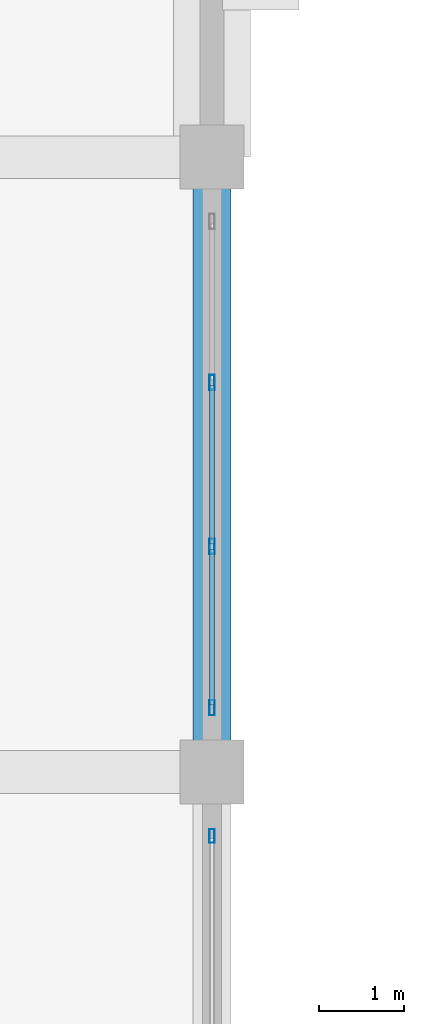
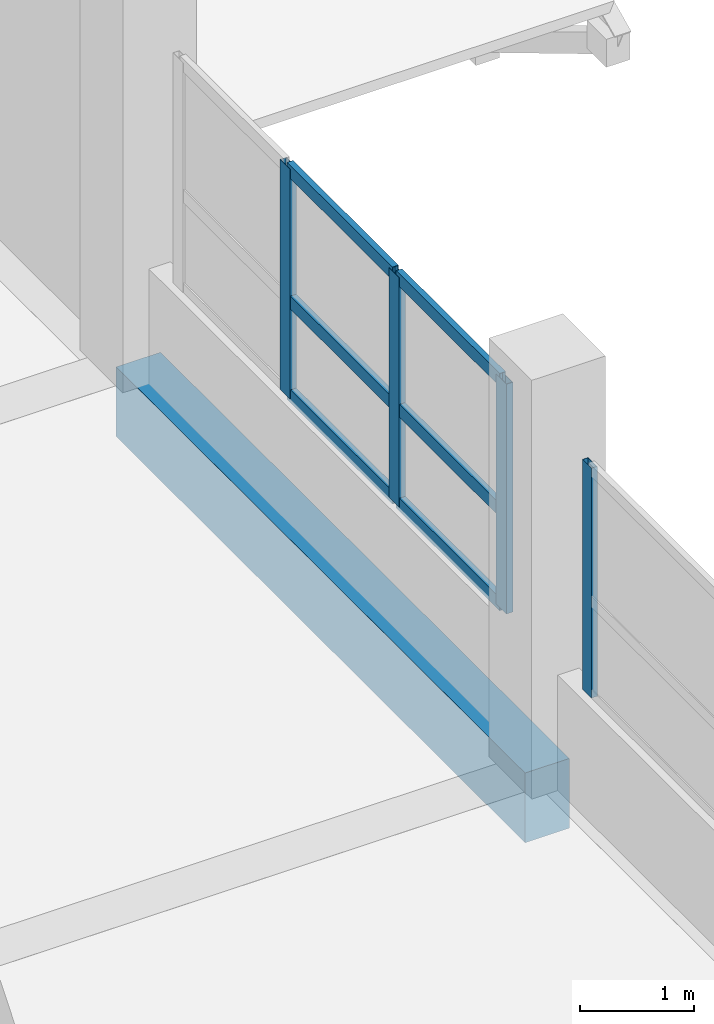
# One storey, part 99 of 141: 10 members, 1 beam, 2 elements without a shape of their own.
"""IFC4 building model written with IfcOpenShell, lengths in metres."""

import ifcopenshell
import ifcopenshell.guid

model = None  # the IFC model being written
_history = None  # IfcOwnerHistory: only IFC2X3 demands one
_inside = {}  # id of a spatial element -> (the spatial element, [elements in it])
_under = {}  # id of a project, library or spatial element -> (it, [spatial elements below it])
_declared = {}  # id of a project -> (the project, [libraries it declares])
_typed = {}  # id of a type object -> (the type object, [elements of that type])
_made_of = {}  # id of a material, layer set ... -> (it, [elements and type objects made of it])


def new_model(schema):
    """Start an empty IFC model of exactly this schema.

    Asked for "IFC4X3", IfcOpenShell would pick the latest addendum, in which some entities
    have other attributes; the version numbers below select the first issue.
    IFC2X3 requires an IfcOwnerHistory on every rooted entity: one is made here for all.
    """
    global model, _history
    if schema == "IFC4X3":
        model = ifcopenshell.file(schema_version=(4, 3, 0, 0))
    else:
        model = ifcopenshell.file(schema=schema)
    _inside.clear()
    _under.clear()
    _declared.clear()
    _typed.clear()
    _made_of.clear()
    _history = None
    if model.schema == "IFC2X3":
        org = make("IfcOrganization", Name="unknown")
        user = make(
            "IfcPersonAndOrganization",
            ThePerson=make("IfcPerson", FamilyName="unknown"),
            TheOrganization=org,
        )
        app = make(
            "IfcApplication",
            ApplicationDeveloper=org,
            Version="unknown",
            ApplicationFullName="unknown",
            ApplicationIdentifier="unknown",
        )
        _history = make(
            "IfcOwnerHistory",
            OwningUser=user,
            OwningApplication=app,
            ChangeAction="ADDED",
            CreationDate=0,
        )
    return model


def make(cls, **values):
    """One entity of the class cls with the attributes given. An attribute that is None is left unset."""
    return model.create_entity(
        cls, **{name: value for name, value in values.items() if value is not None}
    )


def rooted(cls, **values):
    """An entity with a GlobalId (a new one), such as an element, a storey or a relation."""
    return make(cls, GlobalId=ifcopenshell.guid.new(), OwnerHistory=_history, **values)


def si_unit(unit_type, name, prefix=None):
    """IfcSIUnit, for example si_unit("LENGTHUNIT", "METRE", prefix="MILLI")."""
    return make("IfcSIUnit", UnitType=unit_type, Prefix=prefix, Name=name)


def assignment(units):
    """IfcUnitAssignment: the units of a project."""
    return None if units is None else make("IfcUnitAssignment", Units=units)


def point(xyz):
    """IfcCartesianPoint."""
    return None if xyz is None else make("IfcCartesianPoint", Coordinates=xyz)


def direction(xyz):
    """IfcDirection."""
    return None if xyz is None else make("IfcDirection", DirectionRatios=xyz)


def frame(location, z_axis=None, x_axis=None):
    """IfcAxis2Placement3D, a coordinate frame: its origin and axes. An axis left out is left unset."""
    return make(
        "IfcAxis2Placement3D",
        Location=point(location),
        Axis=direction(z_axis),
        RefDirection=direction(x_axis),
    )


def frame_2d(location, x_axis=None):
    """IfcAxis2Placement2D, a coordinate frame in the plane: its origin and x axis."""
    return make(
        "IfcAxis2Placement2D", Location=point(location), RefDirection=direction(x_axis)
    )


def origin():
    """The frame at (0, 0, 0) with its axes left unset."""
    return frame((0.0, 0.0, 0.0))


def origin_2d():
    """The frame at (0, 0) in the plane with its x axis left unset."""
    return frame_2d((0.0, 0.0))


def place(relative_to, where):
    """IfcLocalPlacement: puts the frame where relative to a parent placement (None: the world)."""
    return make(
        "IfcLocalPlacement", PlacementRelTo=relative_to, RelativePlacement=where
    )


def context(
    kind, dimensions, precision=None, world=None, true_north=None, identifier=None
):
    """IfcGeometricRepresentationContext, for example the 3D "Model" context."""
    return make(
        "IfcGeometricRepresentationContext",
        ContextIdentifier=identifier,
        ContextType=kind,
        CoordinateSpaceDimension=dimensions,
        Precision=precision,
        WorldCoordinateSystem=world,
        TrueNorth=true_north,
    )


def subcontext(parent, identifier, kind, view, scale=None):
    """IfcGeometricRepresentationSubContext, for example "Body" below "Model"."""
    return make(
        "IfcGeometricRepresentationSubContext",
        ContextIdentifier=identifier,
        ContextType=kind,
        ParentContext=parent,
        TargetScale=scale,
        TargetView=view,
    )


def project(units=None, contexts=None):
    """IfcProject with its units and contexts."""
    return rooted(
        "IfcProject",
        Name="project",
        RepresentationContexts=contexts,
        UnitsInContext=assignment(units),
    )


def spatial(cls, under=None, at=None, **own):
    """A site, building, storey or space (cls), placed at a placement, below another one or the project."""
    s = rooted(cls, ObjectPlacement=at, **own)
    if under is not None:
        _under.setdefault(under.id(), (under, []))[1].append(s)
    return s


def profile(cls, at=None, kind="AREA", **sizes):
    """A parametric profile (cls). Its sizes go by their IFC names, for example OverallWidth=200.0."""
    return make(cls, ProfileType=kind, Position=at, **sizes)


def rectangle(**sizes):
    """IfcRectangleProfileDef."""
    return profile("IfcRectangleProfileDef", **sizes)


def hollow_rectangle(**sizes):
    """IfcRectangleHollowProfileDef."""
    return profile("IfcRectangleHollowProfileDef", **sizes)


def extrude(swept, where, along, depth):
    """IfcExtrudedAreaSolid: the profile swept, set in the frame where, extruded along a direction by depth."""
    return make(
        "IfcExtrudedAreaSolid",
        SweptArea=swept,
        Position=where,
        ExtrudedDirection=direction(along),
        Depth=depth,
    )


def shape(context_of_items, identifier, shape_type, items):
    """IfcShapeRepresentation: the items that make up one representation, for example the "Body"."""
    return make(
        "IfcShapeRepresentation",
        ContextOfItems=context_of_items,
        RepresentationIdentifier=identifier,
        RepresentationType=shape_type,
        Items=items,
    )


def material(Name=None, Category=None):
    """IfcMaterial."""
    return make("IfcMaterial", Name=Name, Category=Category)


def layer(
    of_material, thickness, ventilated=None, Name=None, Category=None, Priority=None
):
    """IfcMaterialLayer: one layer of a wall or slab, of a material (None: an air gap)."""
    return make(
        "IfcMaterialLayer",
        Material=of_material,
        LayerThickness=thickness,
        IsVentilated=ventilated,
        Name=Name,
        Category=Category,
        Priority=Priority,
    )


def layer_set(layers, Name=None):
    """IfcMaterialLayerSet."""
    return make("IfcMaterialLayerSet", MaterialLayers=layers, LayerSetName=Name)


def material_profile(
    of_material, cross_section, Name=None, Category=None, Priority=None
):
    """IfcMaterialProfile: a cross section and its material."""
    return make(
        "IfcMaterialProfile",
        Name=Name,
        Material=of_material,
        Profile=cross_section,
        Priority=Priority,
        Category=Category,
    )


def profile_set(profiles, Name=None, composite=None):
    """IfcMaterialProfileSet."""
    return make(
        "IfcMaterialProfileSet",
        Name=Name,
        MaterialProfiles=profiles,
        CompositeProfile=composite,
    )


def made_of(thing, what):
    """Note that an element or type object is made of a material, layer set ...; save() writes the relation."""
    if what is not None:
        _made_of.setdefault(what.id(), (what, []))[1].append(thing)
    return thing


def type_object(cls, material=None, **own):
    """A type object (cls), such as IfcWallType, which elements share."""
    return made_of(rooted(cls, **own), material)


def element(
    cls,
    number,
    at=None,
    inside=None,
    cuts=None,
    type_object=None,
    material=None,
    context=None,
    identifier="Body",
    shape_type=None,
    held_by="IfcProductDefinitionShape",
    body=None,
    shapes=None,
    **own,
):
    """One element of the class cls, such as IfcWall. Its Tag is "e" and its number.

    at: its placement. inside: the storey or other place that contains it. cuts: it is an
    opening in that element (IfcRelVoidsElement). A single representation is given by context,
    identifier, shape_type and body (its items); several are given by shapes. held_by: the class
    of the entity that holds the representations. save() writes the other relations.
    """
    e = rooted(cls, Tag="e%d" % number, ObjectPlacement=at, **own)
    if body is not None:
        shapes = [shape(context, identifier, shape_type, body)]
    if shapes is not None:
        e.Representation = make(held_by, Representations=shapes)
    if inside is not None:
        _inside.setdefault(inside.id(), (inside, []))[1].append(e)
    if cuts is not None:
        rooted(
            "IfcRelVoidsElement", RelatingBuildingElement=cuts, RelatedOpeningElement=e
        )
    if type_object is not None:
        _typed.setdefault(type_object.id(), (type_object, []))[1].append(e)
    return made_of(e, material)


def aggregate(whole, parts):
    """IfcRelAggregates: a whole, such as a stair, and the parts it consists of."""
    return rooted("IfcRelAggregates", RelatingObject=whole, RelatedObjects=parts)


def save(model, path):
    """Write the relations noted so far, then the file.

    IfcRelAggregates (storeys below a building ...), IfcRelContainedInSpatialStructure (elements
    in a storey), IfcRelDefinesByType, IfcRelAssociatesMaterial and IfcRelDeclares: one each for
    every whole, place, type object, material and project.
    """
    for whole, parts in _under.values():
        aggregate(whole, parts)
    for where, things in _inside.values():
        rooted(
            "IfcRelContainedInSpatialStructure",
            RelatedElements=things,
            RelatingStructure=where,
        )
    for kind, things in _typed.values():
        rooted("IfcRelDefinesByType", RelatedObjects=things, RelatingType=kind)
    for what, things in _made_of.values():
        rooted("IfcRelAssociatesMaterial", RelatedObjects=things, RelatingMaterial=what)
    for by, libraries in _declared.values():
        rooted("IfcRelDeclares", RelatingContext=by, RelatedDefinitions=libraries)
    model.write(path)


model = new_model("IFC4")

# Units and contexts
model_context = context("Model", 3, precision=1e-05, world=origin(), true_north=direction((0.0, 1.0)))
body_context = subcontext(model_context, "Body", "Model", "MODEL_VIEW")
ifc_project = project(units=[si_unit("LENGTHUNIT", "METRE"), si_unit("AREAUNIT", "SQUARE_METRE"), si_unit("VOLUMEUNIT", "CUBIC_METRE"), si_unit("PLANEANGLEUNIT", "RADIAN"), si_unit("MASSUNIT", "GRAM", prefix="KILO")], contexts=[model_context])

# Site, building, storey
site_placement = place(None, origin())
site = spatial("IfcSite", under=ifc_project, at=site_placement, CompositionType="ELEMENT")
building_placement = place(site_placement, origin())
building = spatial("IfcBuilding", under=site, at=building_placement, Name="Seraya Terrace Polytechnic", CompositionType="ELEMENT")
storey_placement = place(building_placement, frame((0.0, 0.0, 14.39990234375)))
storey = spatial("IfcBuildingStorey", under=building, at=storey_placement, Name="L03", CompositionType="ELEMENT", Elevation=14.39990234375)

# Beam
ifc_material_1 = material(Name="Concrete C40/50", Category="concrete")
ifc_material_profile_1 = material_profile(ifc_material_1, rectangle(XDim=0.449951171875, YDim=0.75, at=origin_2d()), Name="RC 450x750")
ifc_profile_set_1 = profile_set([ifc_material_profile_1], Name="Concrete C40/50")
beam_type = type_object("IfcBeamType", Name="BM-08", PredefinedType="BEAM", material=ifc_profile_set_1)
beam_placement = place(storey_placement, frame((108.0, 64.800048828125, -0.375), z_axis=(0.0, 1.0, 0.0), x_axis=(-1.0, 0.0, 0.0)))
element("IfcBeam", 1, at=beam_placement, inside=storey, type_object=beam_type, Name="Beam BM-08 L03 Y (108.0, 64.8..72.0)", PredefinedType="BEAM", context=body_context, shape_type="SweptSolid", body=[
    extrude(rectangle(XDim=0.449951171875, YDim=0.75, at=origin_2d()), origin(), (0.0, 0.0, 1.0), 7.199951171875),
])

# Curtain wall, members
ifc_material_2 = material(Name="Anodised aluminium EN AW-6063 T6", Category="aluminium")
ifc_layer_1 = layer(ifc_material_2, 0.179931640625, Name="CW-19")
ifc_layer_set_1 = layer_set([ifc_layer_1], Name="Anodised aluminium EN AW-6063 T6")
curtain_wall_type_1 = type_object("IfcCurtainWallType", Name="CW-19", PredefinedType="NOTDEFINED", material=ifc_layer_set_1)
curtain_wall_1_placement = place(storey_placement, origin())
curtain_wall_1 = element("IfcCurtainWall", 2, at=curtain_wall_1_placement, inside=storey, type_object=curtain_wall_type_1, Name="Unitised curtain wall CW-19 (CW-L03-127)", PredefinedType="NOTDEFINED")
ifc_material_profile_2 = material_profile(ifc_material_2, hollow_rectangle(XDim=0.06494140625, YDim=0.179931640625, WallThickness=0.00390625, at=origin_2d()), Name="RHS 180x65x4.0")
ifc_profile_set_2 = profile_set([ifc_material_profile_2], Name="Anodised aluminium EN AW-6063 T6")
member_type_1 = type_object("IfcMemberType", Name="CWM-01", PredefinedType="MULLION", material=ifc_profile_set_2)
member_1_placement = place(storey_placement, frame((108.0, 69.360107421875, 1.239990234375), z_axis=(0.0, 0.0, 1.0), x_axis=(1.0, 0.0, 0.0)))
member_1 = element("IfcMember", 3, at=member_1_placement, type_object=member_type_1, Name="CW-19 mullion 2", PredefinedType="MULLION", context=body_context, shape_type="SweptSolid", body=[
    extrude(hollow_rectangle(XDim=0.06494140625, YDim=0.179931640625, WallThickness=0.00390625, at=origin_2d()), origin(), (0.0, 0.0, 1.0), 2.47021484375),
])
member_2_placement = place(storey_placement, frame((108.0, 67.43994140625, 1.239990234375), z_axis=(0.0, 0.0, 1.0), x_axis=(1.0, 0.0, 0.0)))
member_2 = element("IfcMember", 4, at=member_2_placement, type_object=member_type_1, Name="CW-19 mullion 3", PredefinedType="MULLION", context=body_context, shape_type="SweptSolid", body=[
    extrude(hollow_rectangle(XDim=0.06494140625, YDim=0.179931640625, WallThickness=0.00390625, at=origin_2d()), origin(), (0.0, 0.0, 1.0), 2.47021484375),
])
member_3_placement = place(storey_placement, frame((108.0, 65.552490234375, 1.239990234375), z_axis=(0.0, 0.0, 1.0), x_axis=(1.0, 0.0, 0.0)))
member_3 = element("IfcMember", 5, at=member_3_placement, type_object=member_type_1, Name="CW-19 mullion 4", PredefinedType="MULLION", context=body_context, shape_type="SweptSolid", body=[
    extrude(hollow_rectangle(XDim=0.06494140625, YDim=0.179931640625, WallThickness=0.00390625, at=origin_2d()), origin(), (0.0, 0.0, 1.0), 2.47021484375),
])

# Curtain wall, member
ifc_layer_2 = layer(ifc_material_2, 0.179931640625, Name="CW-20")
ifc_layer_set_2 = layer_set([ifc_layer_2], Name="Anodised aluminium EN AW-6063 T6")
curtain_wall_type_2 = type_object("IfcCurtainWallType", Name="CW-20", PredefinedType="NOTDEFINED", material=ifc_layer_set_2)
curtain_wall_2_placement = place(storey_placement, origin())
curtain_wall_2 = element("IfcCurtainWall", 6, at=curtain_wall_2_placement, inside=storey, type_object=curtain_wall_type_2, Name="Unitised curtain wall CW-20 (CW-L03-128)", PredefinedType="NOTDEFINED")
ifc_material_profile_3 = material_profile(ifc_material_2, hollow_rectangle(XDim=0.06005859375, YDim=0.159912109375, WallThickness=0.00341796875, at=origin_2d()), Name="RHS 160x60x3.5")
ifc_profile_set_3 = profile_set([ifc_material_profile_3], Name="Anodised aluminium EN AW-6063 T6")
member_type_2 = type_object("IfcMemberType", Name="CWM-02", PredefinedType="MULLION", material=ifc_profile_set_3)
member_4_placement = place(storey_placement, frame((108.0, 64.050048828125, 1.239990234375), z_axis=(0.0, 0.0, 1.0), x_axis=(1.0, 0.0, 0.0)))
member_4 = element("IfcMember", 7, at=member_4_placement, type_object=member_type_2, Name="CW-20 mullion 1", PredefinedType="MULLION", context=body_context, shape_type="SweptSolid", body=[
    extrude(hollow_rectangle(XDim=0.06005859375, YDim=0.159912109375, WallThickness=0.00341796875, at=origin_2d()), origin(), (0.0, 0.0, 1.0), 2.47021484375),
])
aggregate(curtain_wall_2, [member_4])

# Member
ifc_material_profile_4 = material_profile(ifc_material_2, hollow_rectangle(XDim=0.06005859375, YDim=0.139892578125, WallThickness=0.00341796875, at=origin_2d()), Name="RHS 140x60x3.5")
ifc_profile_set_4 = profile_set([ifc_material_profile_4], Name="Anodised aluminium EN AW-6063 T6")
member_type_3 = type_object("IfcMemberType", Name="CWT-01", PredefinedType="USERDEFINED", material=ifc_profile_set_4)
member_5_placement = place(storey_placement, frame((108.0, 69.327392578125, 1.27001953125), z_axis=(0.0, -1.0, 0.0), x_axis=(1.0, 0.0, 0.0)))
member_5 = element("IfcMember", 8, at=member_5_placement, type_object=member_type_3, Name="CW-19 transom 2.1", ObjectType="TRANSOM", PredefinedType="USERDEFINED", context=body_context, shape_type="SweptSolid", body=[
    extrude(hollow_rectangle(XDim=0.06005859375, YDim=0.139892578125, WallThickness=0.00341796875, at=origin_2d()), origin(), (0.0, 0.0, 1.0), 1.85498046875),
])

member_6_placement = place(storey_placement, frame((108.0, 69.327392578125, 2.277587890625), z_axis=(0.0, -1.0, 0.0), x_axis=(1.0, 0.0, 0.0)))
member_6 = element("IfcMember", 9, at=member_6_placement, type_object=member_type_3, Name="CW-19 transom 2.2", ObjectType="TRANSOM", PredefinedType="USERDEFINED", context=body_context, shape_type="SweptSolid", body=[
    extrude(hollow_rectangle(XDim=0.06005859375, YDim=0.139892578125, WallThickness=0.00341796875, at=origin_2d()), origin(), (0.0, 0.0, 1.0), 1.85498046875),
])

member_7_placement = place(storey_placement, frame((108.0, 69.327392578125, 3.68017578125), z_axis=(0.0, -1.0, 0.0), x_axis=(1.0, 0.0, 0.0)))
member_7 = element("IfcMember", 10, at=member_7_placement, type_object=member_type_3, Name="CW-19 transom 2.3", ObjectType="TRANSOM", PredefinedType="USERDEFINED", context=body_context, shape_type="SweptSolid", body=[
    extrude(hollow_rectangle(XDim=0.06005859375, YDim=0.139892578125, WallThickness=0.00341796875, at=origin_2d()), origin(), (0.0, 0.0, 1.0), 1.85498046875),
])

member_8_placement = place(storey_placement, frame((108.0, 67.407470703125, 1.27001953125), z_axis=(0.0, -1.0, 0.0), x_axis=(1.0, 0.0, 0.0)))
member_8 = element("IfcMember", 11, at=member_8_placement, type_object=member_type_3, Name="CW-19 transom 3.1", ObjectType="TRANSOM", PredefinedType="USERDEFINED", context=body_context, shape_type="SweptSolid", body=[
    extrude(hollow_rectangle(XDim=0.06005859375, YDim=0.139892578125, WallThickness=0.00341796875, at=origin_2d()), origin(), (0.0, 0.0, 1.0), 1.822509765625),
])

member_9_placement = place(storey_placement, frame((108.0, 67.407470703125, 2.277587890625), z_axis=(0.0, -1.0, 0.0), x_axis=(1.0, 0.0, 0.0)))
member_9 = element("IfcMember", 12, at=member_9_placement, type_object=member_type_3, Name="CW-19 transom 3.2", ObjectType="TRANSOM", PredefinedType="USERDEFINED", context=body_context, shape_type="SweptSolid", body=[
    extrude(hollow_rectangle(XDim=0.06005859375, YDim=0.139892578125, WallThickness=0.00341796875, at=origin_2d()), origin(), (0.0, 0.0, 1.0), 1.822509765625),
])

member_10_placement = place(storey_placement, frame((108.0, 67.407470703125, 3.68017578125), z_axis=(0.0, -1.0, 0.0), x_axis=(1.0, 0.0, 0.0)))
member_10 = element("IfcMember", 13, at=member_10_placement, type_object=member_type_3, Name="CW-19 transom 3.3", ObjectType="TRANSOM", PredefinedType="USERDEFINED", context=body_context, shape_type="SweptSolid", body=[
    extrude(hollow_rectangle(XDim=0.06005859375, YDim=0.139892578125, WallThickness=0.00341796875, at=origin_2d()), origin(), (0.0, 0.0, 1.0), 1.822509765625),
])

aggregate(curtain_wall_1, [member_1, member_2, member_3, member_5, member_6, member_7, member_8, member_9, member_10])

save(model, "model.ifc")
